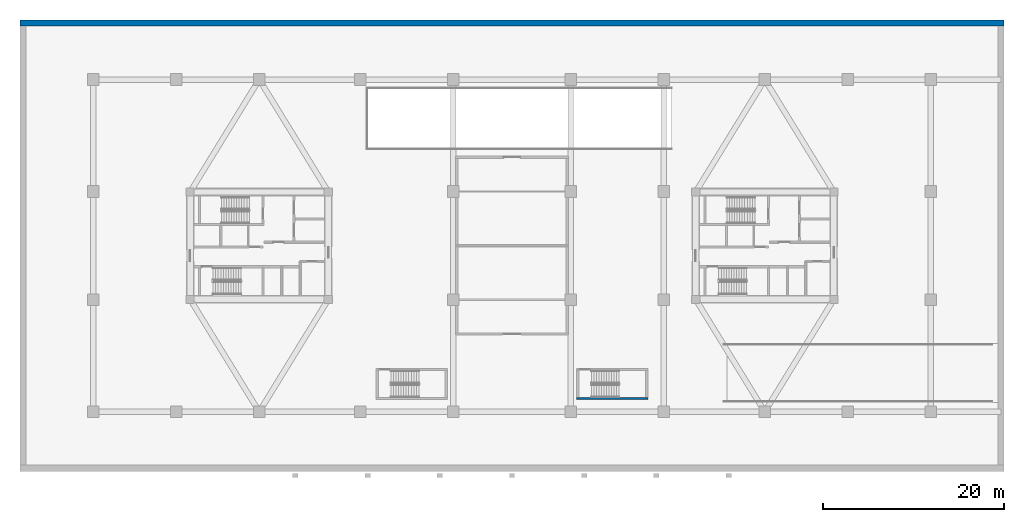
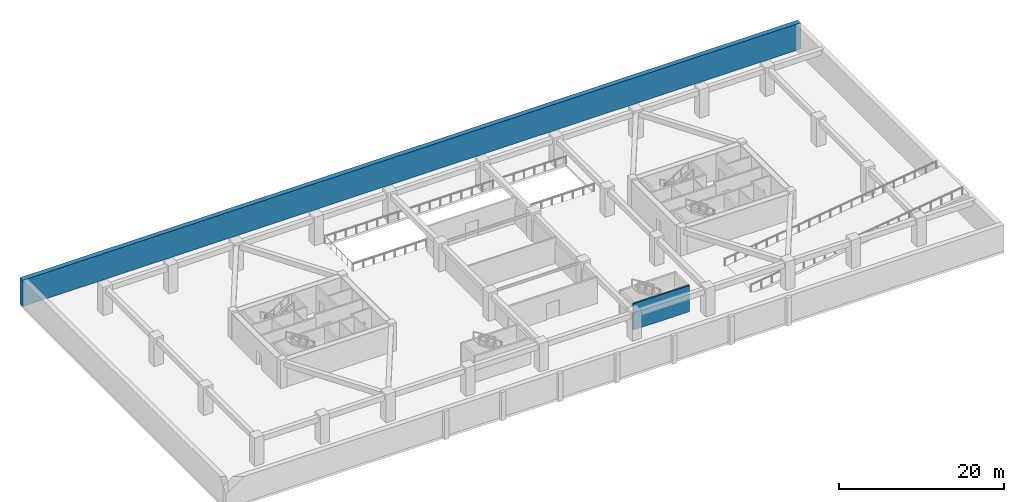
# One storey, part 6 of 14: 2 walls.
"""IFC4 building model written with IfcOpenShell, lengths in metres."""

from ifc_helpers import new_model, si_unit, direction, frame, frame_2d, origin, place, context, subcontext, project, spatial, rectangle, extrude, source, transform, mapped, material, layer, layer_set, type_object, type_shapes, element, save


model = new_model("IFC4")

# Units and contexts
model_context = context("Model", 3, precision=1e-05, world=origin(), true_north=direction((0.0, 1.0)))
body_context = subcontext(model_context, "Body", "Model", "MODEL_VIEW")
ifc_project = project(units=[si_unit("LENGTHUNIT", "METRE"), si_unit("AREAUNIT", "SQUARE_METRE"), si_unit("VOLUMEUNIT", "CUBIC_METRE"), si_unit("PLANEANGLEUNIT", "RADIAN"), si_unit("MASSUNIT", "GRAM", prefix="KILO")], contexts=[model_context])

# Site, building, storey
site_placement = place(None, origin())
site = spatial("IfcSite", under=ifc_project, at=site_placement, CompositionType="ELEMENT")
building_placement = place(site_placement, origin())
building = spatial("IfcBuilding", under=site, at=building_placement, Name="Norrkilde Senior Care Towers", CompositionType="ELEMENT")
storey_placement = place(building_placement, frame((0.0, 0.0, -4.199951171875)))
storey = spatial("IfcBuildingStorey", under=building, at=storey_placement, Name="B1", CompositionType="ELEMENT", Elevation=-4.199951171875)

# Walls
ifc_material_1 = material(Name="Concrete C50/60", Category="concrete")
ifc_layer_1 = layer(ifc_material_1, 0.679931640625)
ifc_layer_set_1 = layer_set([ifc_layer_1], Name="Concrete C50/60")
wall_type_1 = type_object("IfcWallType", Name="Basement Retaining Wall 680", PredefinedType="SOLIDWALL", material=ifc_layer_set_1)
shared_shape_1 = source(origin(), body_context, "Body", "SweptSolid", [
    extrude(rectangle(XDim=109.0, YDim=0.679931640625, at=frame_2d((54.5, 0.0))), origin(), (0.0, 0.0, 1.0), 3.8798828125),
])
type_shapes(wall_type_1, [shared_shape_1])
wall_1_placement = place(storey_placement, frame((54.5, 24.659912109375, 0.0), z_axis=(0.0, 0.0, 1.0), x_axis=(-1.0, 0.0, 0.0)))
element("IfcWall", 1, at=wall_1_placement, inside=storey, type_object=wall_type_1, Name="B1 N Perimeter Retaining Wall", PredefinedType="SOLIDWALL", context=body_context, shape_type="MappedRepresentation", body=[
    mapped(shared_shape_1, transform((0.0, 0.0, 0.0), x_axis=(1.0, 0.0, 0.0), y_axis=(0.0, 1.0, 0.0), z_axis=(0.0, 0.0, 1.0), scale=1.0)),
])
ifc_material_2 = material(Name="Concrete C45/55", Category="concrete")
ifc_layer_2 = layer(ifc_material_2, 0.239990234375)
ifc_layer_set_2 = layer_set([ifc_layer_2], Name="Concrete C45/55")
wall_type_2 = type_object("IfcWallType", Name="Shaft and Stair Enclosure Wall 240", PredefinedType="PARTITIONING", material=ifc_layer_set_2)
shared_shape_2 = source(origin(), body_context, "Body", "SweptSolid", [
    extrude(rectangle(XDim=7.880126953125, YDim=0.239990234375, at=frame_2d((3.93994140625, 0.0))), origin(), (0.0, 0.0, 1.0), 3.8798828125),
])
type_shapes(wall_type_2, [shared_shape_2])
wall_2_placement = place(storey_placement, frame((7.159912109375, -16.919921875, 0.0), z_axis=(0.0, 0.0, 1.0), x_axis=(1.0, 0.0, 0.0)))
element("IfcWall", 2, at=wall_2_placement, inside=storey, type_object=wall_type_2, Name="WL-INT-B1-STP2-S", PredefinedType="PARTITIONING", context=body_context, shape_type="MappedRepresentation", body=[
    mapped(shared_shape_2, transform((0.0, 0.0, 0.0), x_axis=(1.0, 0.0, 0.0), y_axis=(0.0, 1.0, 0.0), z_axis=(0.0, 0.0, 1.0), scale=1.0)),
])

save(model, "model.ifc")
